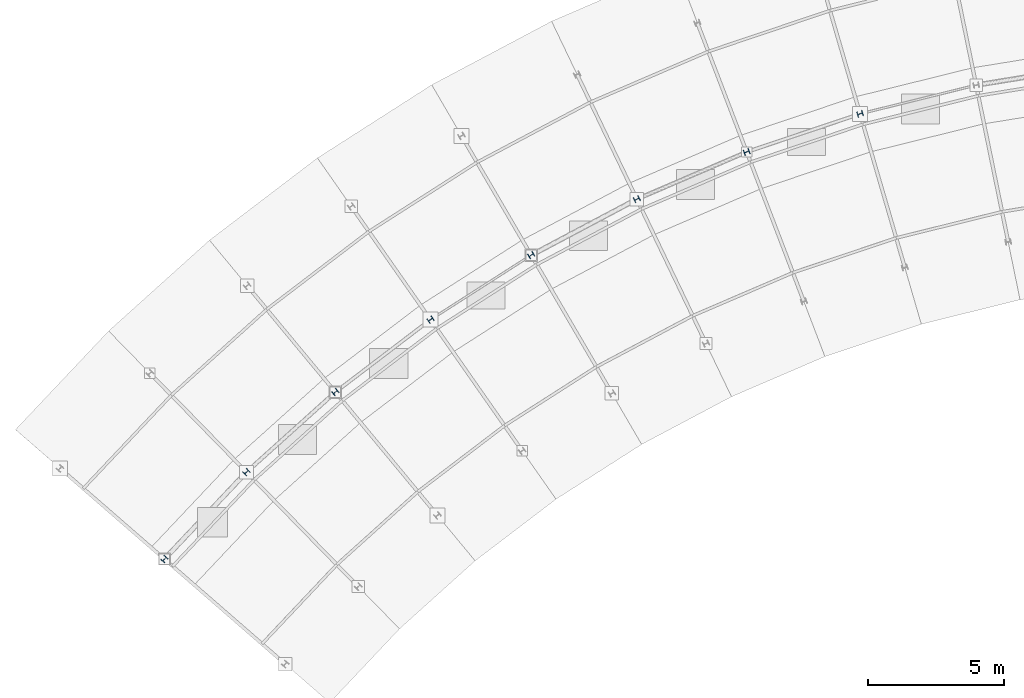
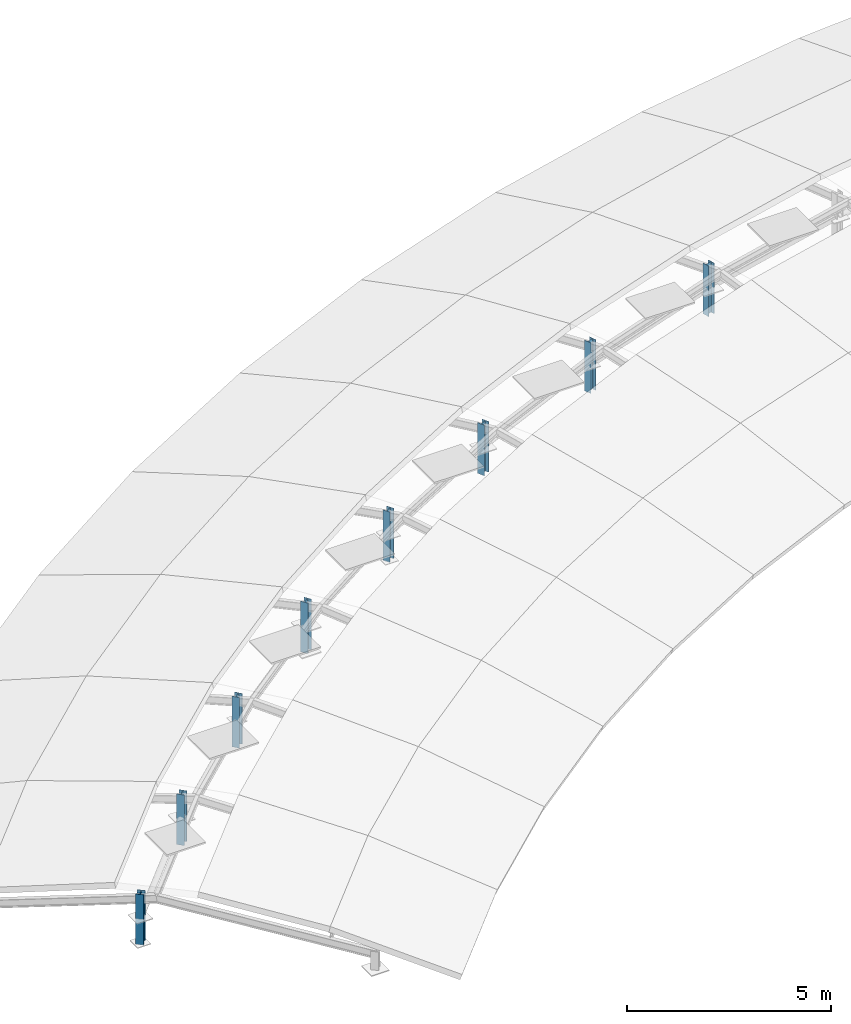
# One storey, part 1 of 8: 8 columns.
"""IFC4 building model written with IfcOpenShell, lengths in metres."""

import ifcopenshell
import ifcopenshell.guid

model = None  # the IFC model being written
_history = None  # IfcOwnerHistory: only IFC2X3 demands one
_inside = {}  # id of a spatial element -> (the spatial element, [elements in it])
_under = {}  # id of a project, library or spatial element -> (it, [spatial elements below it])
_declared = {}  # id of a project -> (the project, [libraries it declares])
_typed = {}  # id of a type object -> (the type object, [elements of that type])
_made_of = {}  # id of a material, layer set ... -> (it, [elements and type objects made of it])


def new_model(schema):
    """Start an empty IFC model of exactly this schema.

    Asked for "IFC4X3", IfcOpenShell would pick the latest addendum, in which some entities
    have other attributes; the version numbers below select the first issue.
    IFC2X3 requires an IfcOwnerHistory on every rooted entity: one is made here for all.
    """
    global model, _history
    if schema == "IFC4X3":
        model = ifcopenshell.file(schema_version=(4, 3, 0, 0))
    else:
        model = ifcopenshell.file(schema=schema)
    _inside.clear()
    _under.clear()
    _declared.clear()
    _typed.clear()
    _made_of.clear()
    _history = None
    if model.schema == "IFC2X3":
        org = make("IfcOrganization", Name="unknown")
        user = make(
            "IfcPersonAndOrganization",
            ThePerson=make("IfcPerson", FamilyName="unknown"),
            TheOrganization=org,
        )
        app = make(
            "IfcApplication",
            ApplicationDeveloper=org,
            Version="unknown",
            ApplicationFullName="unknown",
            ApplicationIdentifier="unknown",
        )
        _history = make(
            "IfcOwnerHistory",
            OwningUser=user,
            OwningApplication=app,
            ChangeAction="ADDED",
            CreationDate=0,
        )
    return model


def make(cls, **values):
    """One entity of the class cls with the attributes given. An attribute that is None is left unset."""
    return model.create_entity(
        cls, **{name: value for name, value in values.items() if value is not None}
    )


def rooted(cls, **values):
    """An entity with a GlobalId (a new one), such as an element, a storey or a relation."""
    return make(cls, GlobalId=ifcopenshell.guid.new(), OwnerHistory=_history, **values)


def si_unit(unit_type, name, prefix=None):
    """IfcSIUnit, for example si_unit("LENGTHUNIT", "METRE", prefix="MILLI")."""
    return make("IfcSIUnit", UnitType=unit_type, Prefix=prefix, Name=name)


def assignment(units):
    """IfcUnitAssignment: the units of a project."""
    return None if units is None else make("IfcUnitAssignment", Units=units)


def point(xyz):
    """IfcCartesianPoint."""
    return None if xyz is None else make("IfcCartesianPoint", Coordinates=xyz)


def direction(xyz):
    """IfcDirection."""
    return None if xyz is None else make("IfcDirection", DirectionRatios=xyz)


def frame(location, z_axis=None, x_axis=None):
    """IfcAxis2Placement3D, a coordinate frame: its origin and axes. An axis left out is left unset."""
    return make(
        "IfcAxis2Placement3D",
        Location=point(location),
        Axis=direction(z_axis),
        RefDirection=direction(x_axis),
    )


def frame_2d(location, x_axis=None):
    """IfcAxis2Placement2D, a coordinate frame in the plane: its origin and x axis."""
    return make(
        "IfcAxis2Placement2D", Location=point(location), RefDirection=direction(x_axis)
    )


def origin():
    """The frame at (0, 0, 0) with its axes left unset."""
    return frame((0.0, 0.0, 0.0))


def origin_2d():
    """The frame at (0, 0) in the plane with its x axis left unset."""
    return frame_2d((0.0, 0.0))


def place(relative_to, where):
    """IfcLocalPlacement: puts the frame where relative to a parent placement (None: the world)."""
    return make(
        "IfcLocalPlacement", PlacementRelTo=relative_to, RelativePlacement=where
    )


def context(
    kind, dimensions, precision=None, world=None, true_north=None, identifier=None
):
    """IfcGeometricRepresentationContext, for example the 3D "Model" context."""
    return make(
        "IfcGeometricRepresentationContext",
        ContextIdentifier=identifier,
        ContextType=kind,
        CoordinateSpaceDimension=dimensions,
        Precision=precision,
        WorldCoordinateSystem=world,
        TrueNorth=true_north,
    )


def subcontext(parent, identifier, kind, view, scale=None):
    """IfcGeometricRepresentationSubContext, for example "Body" below "Model"."""
    return make(
        "IfcGeometricRepresentationSubContext",
        ContextIdentifier=identifier,
        ContextType=kind,
        ParentContext=parent,
        TargetScale=scale,
        TargetView=view,
    )


def project(units=None, contexts=None):
    """IfcProject with its units and contexts."""
    return rooted(
        "IfcProject",
        Name="project",
        RepresentationContexts=contexts,
        UnitsInContext=assignment(units),
    )


def spatial(cls, under=None, at=None, **own):
    """A site, building, storey or space (cls), placed at a placement, below another one or the project."""
    s = rooted(cls, ObjectPlacement=at, **own)
    if under is not None:
        _under.setdefault(under.id(), (under, []))[1].append(s)
    return s


def profile(cls, at=None, kind="AREA", **sizes):
    """A parametric profile (cls). Its sizes go by their IFC names, for example OverallWidth=200.0."""
    return make(cls, ProfileType=kind, Position=at, **sizes)


def i_section(**sizes):
    """IfcIShapeProfileDef."""
    return profile("IfcIShapeProfileDef", **sizes)


def extrude(swept, where, along, depth):
    """IfcExtrudedAreaSolid: the profile swept, set in the frame where, extruded along a direction by depth."""
    return make(
        "IfcExtrudedAreaSolid",
        SweptArea=swept,
        Position=where,
        ExtrudedDirection=direction(along),
        Depth=depth,
    )


def shape(context_of_items, identifier, shape_type, items):
    """IfcShapeRepresentation: the items that make up one representation, for example the "Body"."""
    return make(
        "IfcShapeRepresentation",
        ContextOfItems=context_of_items,
        RepresentationIdentifier=identifier,
        RepresentationType=shape_type,
        Items=items,
    )


def material(Name=None, Category=None):
    """IfcMaterial."""
    return make("IfcMaterial", Name=Name, Category=Category)


def material_profile(
    of_material, cross_section, Name=None, Category=None, Priority=None
):
    """IfcMaterialProfile: a cross section and its material."""
    return make(
        "IfcMaterialProfile",
        Name=Name,
        Material=of_material,
        Profile=cross_section,
        Priority=Priority,
        Category=Category,
    )


def profile_set(profiles, Name=None, composite=None):
    """IfcMaterialProfileSet."""
    return make(
        "IfcMaterialProfileSet",
        Name=Name,
        MaterialProfiles=profiles,
        CompositeProfile=composite,
    )


def made_of(thing, what):
    """Note that an element or type object is made of a material, layer set ...; save() writes the relation."""
    if what is not None:
        _made_of.setdefault(what.id(), (what, []))[1].append(thing)
    return thing


def type_object(cls, material=None, **own):
    """A type object (cls), such as IfcWallType, which elements share."""
    return made_of(rooted(cls, **own), material)


def element(
    cls,
    number,
    at=None,
    inside=None,
    cuts=None,
    type_object=None,
    material=None,
    context=None,
    identifier="Body",
    shape_type=None,
    held_by="IfcProductDefinitionShape",
    body=None,
    shapes=None,
    **own,
):
    """One element of the class cls, such as IfcWall. Its Tag is "e" and its number.

    at: its placement. inside: the storey or other place that contains it. cuts: it is an
    opening in that element (IfcRelVoidsElement). A single representation is given by context,
    identifier, shape_type and body (its items); several are given by shapes. held_by: the class
    of the entity that holds the representations. save() writes the other relations.
    """
    e = rooted(cls, Tag="e%d" % number, ObjectPlacement=at, **own)
    if body is not None:
        shapes = [shape(context, identifier, shape_type, body)]
    if shapes is not None:
        e.Representation = make(held_by, Representations=shapes)
    if inside is not None:
        _inside.setdefault(inside.id(), (inside, []))[1].append(e)
    if cuts is not None:
        rooted(
            "IfcRelVoidsElement", RelatingBuildingElement=cuts, RelatedOpeningElement=e
        )
    if type_object is not None:
        _typed.setdefault(type_object.id(), (type_object, []))[1].append(e)
    return made_of(e, material)


def aggregate(whole, parts):
    """IfcRelAggregates: a whole, such as a stair, and the parts it consists of."""
    return rooted("IfcRelAggregates", RelatingObject=whole, RelatedObjects=parts)


def save(model, path):
    """Write the relations noted so far, then the file.

    IfcRelAggregates (storeys below a building ...), IfcRelContainedInSpatialStructure (elements
    in a storey), IfcRelDefinesByType, IfcRelAssociatesMaterial and IfcRelDeclares: one each for
    every whole, place, type object, material and project.
    """
    for whole, parts in _under.values():
        aggregate(whole, parts)
    for where, things in _inside.values():
        rooted(
            "IfcRelContainedInSpatialStructure",
            RelatedElements=things,
            RelatingStructure=where,
        )
    for kind, things in _typed.values():
        rooted("IfcRelDefinesByType", RelatedObjects=things, RelatingType=kind)
    for what, things in _made_of.values():
        rooted("IfcRelAssociatesMaterial", RelatedObjects=things, RelatingMaterial=what)
    for by, libraries in _declared.values():
        rooted("IfcRelDeclares", RelatingContext=by, RelatedDefinitions=libraries)
    model.write(path)


model = new_model("IFC4")

# Units and contexts
model_context = context("Model", 3, precision=1e-05, world=origin(), true_north=direction((0.0, 1.0)))
body_context = subcontext(model_context, "Body", "Model", "MODEL_VIEW")
ifc_project = project(units=[si_unit("LENGTHUNIT", "METRE"), si_unit("AREAUNIT", "SQUARE_METRE"), si_unit("VOLUMEUNIT", "CUBIC_METRE"), si_unit("PLANEANGLEUNIT", "RADIAN"), si_unit("MASSUNIT", "GRAM", prefix="KILO")], contexts=[model_context])

# Site, building, storey
site_placement = place(None, origin())
site = spatial("IfcSite", under=ifc_project, at=site_placement, CompositionType="ELEMENT")
building_placement = place(site_placement, origin())
building = spatial("IfcBuilding", under=site, at=building_placement, Name="Zimvara Arc Housing Community", CompositionType="ELEMENT")
storey_placement = place(building_placement, frame((0.0, 0.0, 45.300048828125)))
storey = spatial("IfcBuildingStorey", under=building, at=storey_placement, Name="RF", CompositionType="ELEMENT", Elevation=45.300048828125)

# Columns
ifc_material = material(Name="Steel S355", Category="steel")
ifc_material_profile = material_profile(ifc_material, i_section(OverallWidth=0.199951171875, OverallDepth=0.199951171875, WebThickness=0.009033203125, FlangeThickness=0.014892578125, FilletRadius=0.01806640625, at=origin_2d()), Name="HEB 200")
ifc_profile_set = profile_set([ifc_material_profile], Name="Steel S355")
column_type = type_object("IfcColumnType", Name="COL-ST-HEB200", PredefinedType="COLUMN", material=ifc_profile_set)
for number, where, z_axis, x_axis, name in (
    (1, (4.396728515625, 79.7958984375, 0.0), (0.0, 0.0, 1.0), (-0.754709580223, 0.656059028991, 0.0), "col:blkA:RF:ribpost2:g0"),
    (2, (7.411865234375, 82.9912109375, 0.0), (0.0, 0.0, 1.0), (-0.698665066769, 0.715448897181, 0.0), "col:blkA:RF:ribpost2:g1"),
    (3, (10.677734375, 85.9296875, 0.0), (0.0, 0.0, 1.0), (-0.637961754089, 0.770068049148, 0.0), "col:blkA:RF:ribpost2:g2"),
    (4, (14.17236328125, 88.591796875, 0.0), (0.0, 0.0, 1.0), (-0.573004420611, 0.819552276527, 0.0), "col:blkA:RF:ribpost2:g3"),
    (5, (17.87255859375, 90.960205078125, 0.0), (0.0, 0.0, 1.0), (-0.504226211181, 0.863571611366, 0.0), "col:blkA:RF:ribpost2:g4"),
    (6, (21.75390625, 93.0185546875, 0.0), (0.0, 0.0, 1.0), (-0.432085748802, 0.901832526405, 0.0), "col:blkA:RF:ribpost2:g5"),
    (7, (25.7900390625, 94.75341796875, 0.0), (0.0, 0.0, 1.0), (-0.357064076459, 0.934079892355, 0.0), "col:blkA:RF:ribpost2:g6"),
    (8, (29.9541015625, 96.1533203125, 0.0), (0.0, 0.0, 1.0), (-0.27966144946, 0.96009867914, 0.0), "col:blkA:RF:ribpost2:g7"),
):
    element("IfcColumn", number, at=place(storey_placement, frame(where, z_axis=z_axis, x_axis=x_axis)), inside=storey, type_object=column_type, Name=name, PredefinedType="COLUMN", context=body_context, shape_type="SweptSolid", body=[
        extrude(i_section(OverallWidth=0.199951171875, OverallDepth=0.199951171875, WebThickness=0.009033203125, FlangeThickness=0.014892578125, FilletRadius=0.01806640625, at=origin_2d()), origin(), (0.0, 0.0, 1.0), 1.514892578125),
    ])

save(model, "model.ifc")
